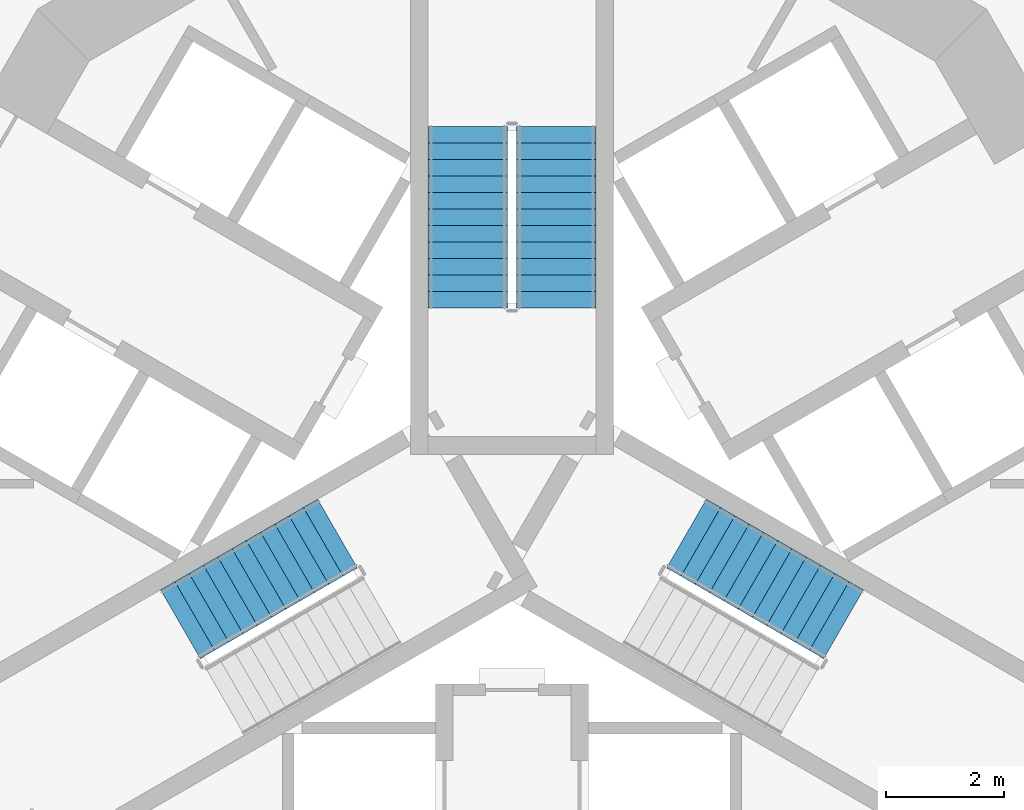
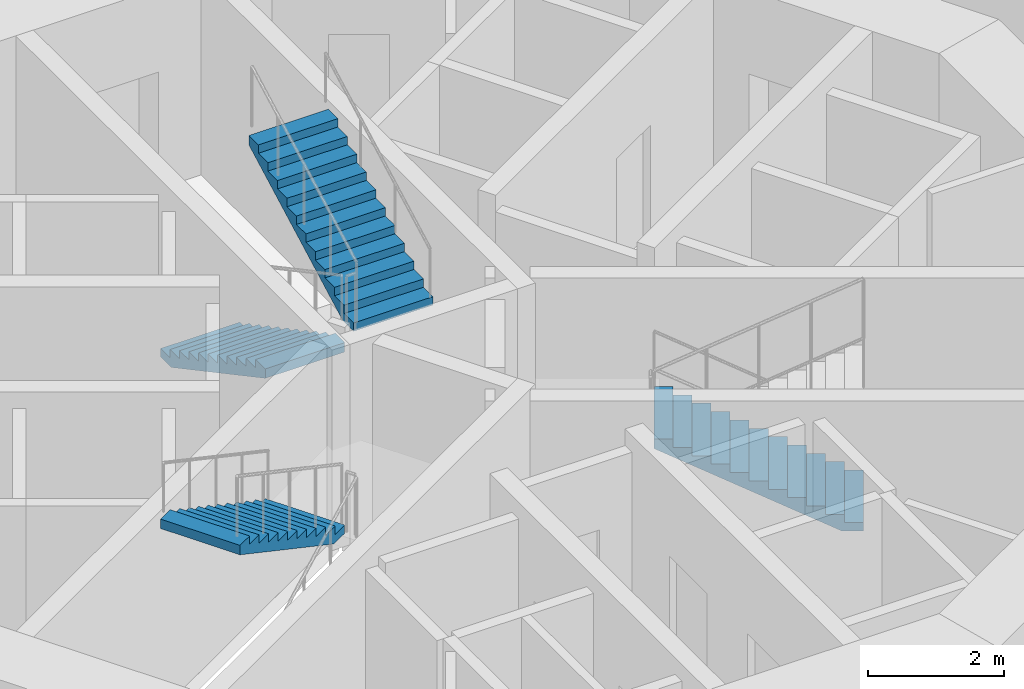
# One storey, part 11 of 20: 4 stair flights, 3 elements without a shape of their own.
"""IFC4 building model written with IfcOpenShell, lengths in metres."""

from ifc_helpers import new_model, si_unit, direction, frame, origin, place, context, subcontext, project, spatial, polyline, outline, extrude, material, type_object, element, aggregate, save


model = new_model("IFC4")

# Units and contexts
model_context = context("Model", 3, precision=1e-05, world=origin(), true_north=direction((0.0, 1.0)))
body_context = subcontext(model_context, "Body", "Model", "MODEL_VIEW")
ifc_project = project(units=[si_unit("LENGTHUNIT", "METRE"), si_unit("AREAUNIT", "SQUARE_METRE"), si_unit("VOLUMEUNIT", "CUBIC_METRE"), si_unit("PLANEANGLEUNIT", "RADIAN"), si_unit("MASSUNIT", "GRAM", prefix="KILO")], contexts=[model_context])

# Site, building, storey
site_placement = place(None, origin())
site = spatial("IfcSite", under=ifc_project, at=site_placement, CompositionType="ELEMENT")
building_placement = place(site_placement, origin())
building = spatial("IfcBuilding", under=site, at=building_placement, Name="Trine Commons Tower", CompositionType="ELEMENT")
storey_placement = place(building_placement, frame((0.0, 0.0, 35.10009765625)))
storey = spatial("IfcBuildingStorey", under=building, at=storey_placement, Name="L07", CompositionType="ELEMENT", Elevation=35.10009765625)

# Stair, stair flights
ifc_material = material(Name="Concrete C50/60", Category="concrete")
stair_type = type_object("IfcStairType", Name="Exit stair, dog-leg, 24 risers of 150 mm", PredefinedType="HALF_TURN_STAIR", material=ifc_material)
stair_1_placement = place(storey_placement, origin())
stair_1 = element("IfcStair", 1, at=stair_1_placement, inside=storey, type_object=stair_type, Name="L07 Exit stair ST1A", PredefinedType="HALF_TURN_STAIR")
stair_flight_type = type_object("IfcStairFlightType", Name="Stair flight, 1350 wide, 12 risers of 150 mm", PredefinedType="STRAIGHT", material=ifc_material)
stair_flight_1_placement = place(storey_placement, frame((79.25, 68.570556640625, 0.0), z_axis=(0.0, 0.0, 1.0), x_axis=(0.0, -1.0, 0.0)))
stair_flight_1 = element("IfcStairFlight", 2, at=stair_flight_1_placement, type_object=stair_flight_type, Name="ST1A flight 1", NumberOfRisers=12, NumberOfTreads=11, PredefinedType="STRAIGHT", RiserHeight=0.15, TreadLength=0.28, context=body_context, shape_type="SweptSolid", body=[
    extrude(outline(polyline([(0.0, 0.0), (0.0, 0.14990234375), (0.280029296875, 0.14990234375), (0.280029296875, 0.300048828125), (0.56005859375, 0.300048828125), (0.56005859375, 0.449951171875), (0.840087890625, 0.449951171875), (0.840087890625, 0.60009765625), (1.1201171875, 0.60009765625), (1.1201171875, 0.75), (1.39990234375, 0.75), (1.39990234375, 0.89990234375), (1.679931640625, 0.89990234375), (1.679931640625, 1.050048828125), (1.9599609375, 1.050048828125), (1.9599609375, 1.199951171875), (2.239990234375, 1.199951171875), (2.239990234375, 1.35009765625), (2.52001953125, 1.35009765625), (2.52001953125, 1.5), (2.800048828125, 1.5), (2.800048828125, 1.64990234375), (3.080078125, 1.64990234375), (3.080078125, 1.800048828125), (3.080078125, 1.47998046875), (0.3173828125, 0.0), (0.0, 0.0)])), frame((0.0, 0.675048828125, 0.0), z_axis=(0.0, -1.0, 0.0), x_axis=(1.0, 0.0, 0.0)), (0.0, 0.0, 1.0), 1.35009765625),
])
stair_flight_2_placement = place(storey_placement, frame((80.75, 65.490478515625, 1.7998046875), z_axis=(0.0, 0.0, 1.0), x_axis=(0.0, 1.0, 0.0)))
stair_flight_2 = element("IfcStairFlight", 3, at=stair_flight_2_placement, type_object=stair_flight_type, Name="ST1A flight 2", NumberOfRisers=12, NumberOfTreads=11, PredefinedType="STRAIGHT", RiserHeight=0.15, TreadLength=0.28, context=body_context, shape_type="SweptSolid", body=[
    extrude(outline(polyline([(0.0, 0.0), (0.0, 0.14990234375), (0.280029296875, 0.14990234375), (0.280029296875, 0.300048828125), (0.56005859375, 0.300048828125), (0.56005859375, 0.449951171875), (0.840087890625, 0.449951171875), (0.840087890625, 0.60009765625), (1.1201171875, 0.60009765625), (1.1201171875, 0.75), (1.39990234375, 0.75), (1.39990234375, 0.89990234375), (1.679931640625, 0.89990234375), (1.679931640625, 1.050048828125), (1.9599609375, 1.050048828125), (1.9599609375, 1.199951171875), (2.239990234375, 1.199951171875), (2.239990234375, 1.35009765625), (2.52001953125, 1.35009765625), (2.52001953125, 1.5), (2.800048828125, 1.5), (2.800048828125, 1.64990234375), (3.080078125, 1.64990234375), (3.080078125, 1.800048828125), (3.080078125, 1.47998046875), (0.3173828125, 0.0), (0.0, 0.0)])), frame((0.0, 0.675048828125, 0.0), z_axis=(0.0, -1.0, 0.0), x_axis=(1.0, 0.0, 0.0)), (0.0, 0.0, 1.0), 1.35009765625),
])
aggregate(stair_1, [stair_flight_1, stair_flight_2])

# Stair, stair flight
stair_2_placement = place(storey_placement, origin())
stair_2 = element("IfcStair", 4, at=stair_2_placement, inside=storey, type_object=stair_type, Name="L07 Exit stair ST2A", PredefinedType="HALF_TURN_STAIR")
stair_flight_3_placement = place(storey_placement, frame((77.03515625, 61.654296875, 1.7998046875), z_axis=(0.0, 0.0, 1.0), x_axis=(-0.866025403784, -0.5, 0.0)))
stair_flight_3 = element("IfcStairFlight", 5, at=stair_flight_3_placement, type_object=stair_flight_type, Name="ST2A flight 2", NumberOfRisers=12, NumberOfTreads=11, PredefinedType="STRAIGHT", RiserHeight=0.15, TreadLength=0.28, context=body_context, shape_type="SweptSolid", body=[
    extrude(outline(polyline([(0.0, 0.0), (0.0, 0.14990234375), (0.280029296875, 0.14990234375), (0.280029296875, 0.300048828125), (0.56005859375, 0.300048828125), (0.56005859375, 0.449951171875), (0.840087890625, 0.449951171875), (0.840087890625, 0.60009765625), (1.1201171875, 0.60009765625), (1.1201171875, 0.75), (1.39990234375, 0.75), (1.39990234375, 0.89990234375), (1.679931640625, 0.89990234375), (1.679931640625, 1.050048828125), (1.9599609375, 1.050048828125), (1.9599609375, 1.199951171875), (2.239990234375, 1.199951171875), (2.239990234375, 1.35009765625), (2.52001953125, 1.35009765625), (2.52001953125, 1.5), (2.800048828125, 1.5), (2.800048828125, 1.64990234375), (3.080078125, 1.64990234375), (3.080078125, 1.800048828125), (3.080078125, 1.47998046875), (0.3173828125, 0.0), (0.0, 0.0)])), frame((0.0, 0.675048828125, 0.0), z_axis=(0.0, -1.0, 0.0), x_axis=(1.0, 0.0, 0.0)), (0.0, 0.0, 1.0), 1.35009765625),
])
aggregate(stair_2, [stair_flight_3])

stair_3_placement = place(storey_placement, origin())
stair_3 = element("IfcStair", 6, at=stair_3_placement, inside=storey, type_object=stair_type, Name="L07 Exit stair ST3A", PredefinedType="HALF_TURN_STAIR")
stair_flight_4_placement = place(storey_placement, frame((85.63232421875, 60.1142578125, 0.0), z_axis=(0.0, 0.0, 1.0), x_axis=(-0.866025403784, 0.5, 0.0)))
stair_flight_4 = element("IfcStairFlight", 7, at=stair_flight_4_placement, type_object=stair_flight_type, Name="ST3A flight 1", NumberOfRisers=12, NumberOfTreads=11, PredefinedType="STRAIGHT", RiserHeight=0.15, TreadLength=0.28, context=body_context, shape_type="SweptSolid", body=[
    extrude(outline(polyline([(0.0, 0.0), (0.0, 0.14990234375), (0.280029296875, 0.14990234375), (0.280029296875, 0.300048828125), (0.56005859375, 0.300048828125), (0.56005859375, 0.449951171875), (0.840087890625, 0.449951171875), (0.840087890625, 0.60009765625), (1.1201171875, 0.60009765625), (1.1201171875, 0.75), (1.39990234375, 0.75), (1.39990234375, 0.89990234375), (1.679931640625, 0.89990234375), (1.679931640625, 1.050048828125), (1.9599609375, 1.050048828125), (1.9599609375, 1.199951171875), (2.239990234375, 1.199951171875), (2.239990234375, 1.35009765625), (2.52001953125, 1.35009765625), (2.52001953125, 1.5), (2.800048828125, 1.5), (2.800048828125, 1.64990234375), (3.080078125, 1.64990234375), (3.080078125, 1.800048828125), (3.080078125, 1.47998046875), (0.3173828125, 0.0), (0.0, 0.0)])), frame((0.0, 0.675048828125, 0.0), z_axis=(0.0, -1.0, 0.0), x_axis=(1.0, 0.0, 0.0)), (0.0, 0.0, 1.0), 1.35009765625),
])
aggregate(stair_3, [stair_flight_4])

save(model, "model.ifc")
